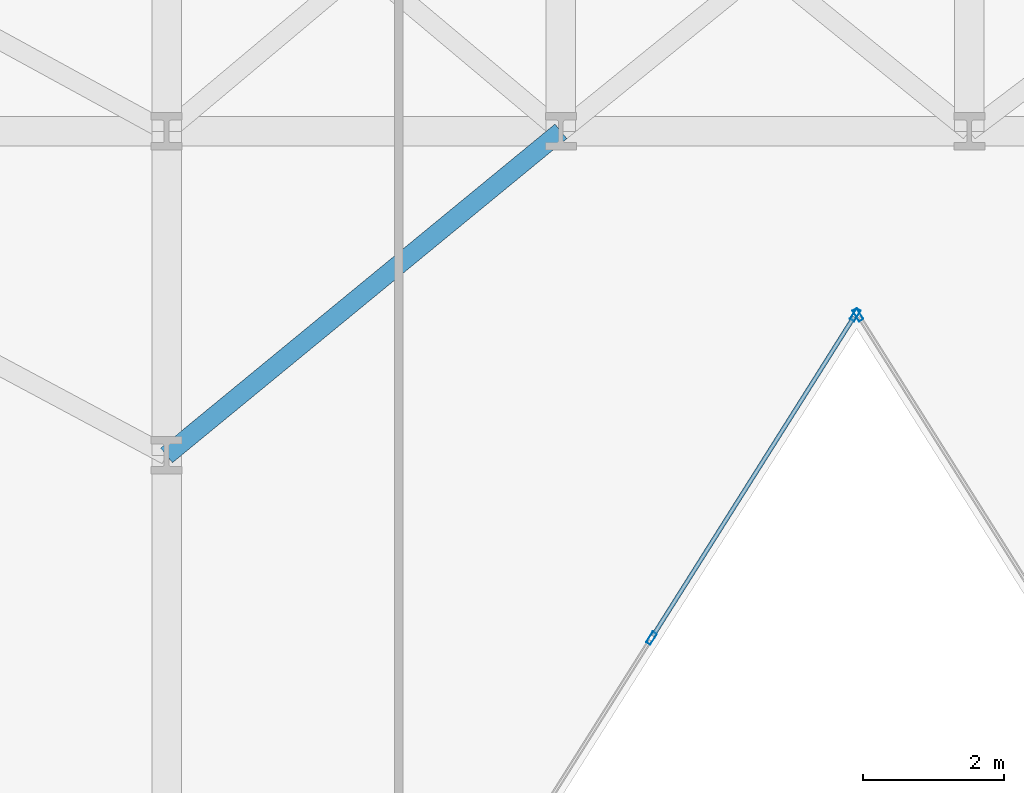
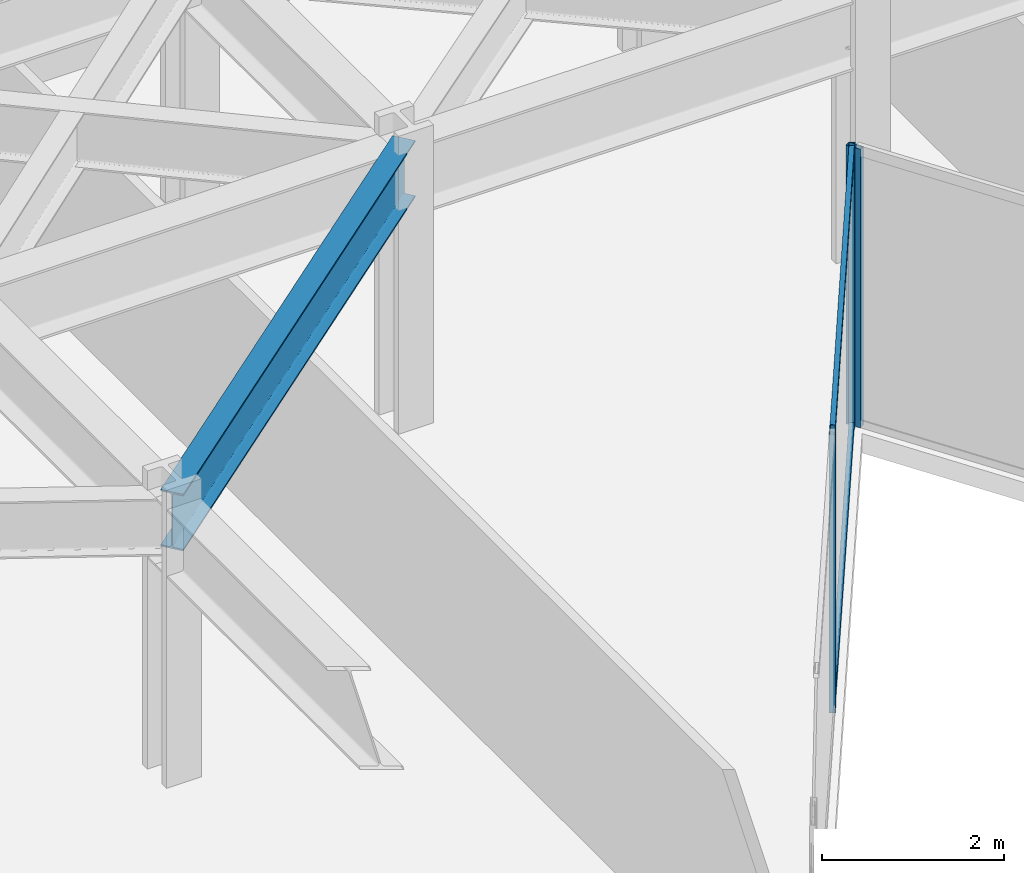
# One storey, part 10 of 25: 5 members, 1 beam, 2 elements without a shape of their own.
"""IFC4 building model written with IfcOpenShell, lengths in metres."""

from ifc_helpers import new_model, si_unit, direction, frame, origin, origin_2d, place, context, subcontext, project, spatial, hollow_rectangle, i_section, extrude, material, layer, layer_set, material_profile, profile_set, type_object, element, aggregate, save


model = new_model("IFC4")

# Units and contexts
model_context = context("Model", 3, precision=1e-05, world=origin(), true_north=direction((0.0, 1.0)))
body_context = subcontext(model_context, "Body", "Model", "MODEL_VIEW")
ifc_project = project(units=[si_unit("LENGTHUNIT", "METRE"), si_unit("AREAUNIT", "SQUARE_METRE"), si_unit("VOLUMEUNIT", "CUBIC_METRE"), si_unit("PLANEANGLEUNIT", "RADIAN"), si_unit("MASSUNIT", "GRAM", prefix="KILO")], contexts=[model_context])

# Site, building, storey
site_placement = place(None, origin())
site = spatial("IfcSite", under=ifc_project, at=site_placement, CompositionType="ELEMENT")
building_placement = place(site_placement, origin())
building = spatial("IfcBuilding", under=site, at=building_placement, Name="Kravanh Interchange Tower", CompositionType="ELEMENT")
storey_placement = place(building_placement, frame((0.0, 0.0, 57.5)))
storey = spatial("IfcBuildingStorey", under=building, at=storey_placement, Name="L13", CompositionType="ELEMENT", Elevation=57.5)

# Curtain wall, member
ifc_material_1 = material(Name="Anodised Bronze Aluminium", Category="aluminium")
ifc_layer = layer(ifc_material_1, 0.179931640625)
ifc_layer_set = layer_set([ifc_layer], Name="Unitised Curtain Wall System CW-Z1 Lower Office")
curtain_wall_type = type_object("IfcCurtainWallType", Name="Unitised Curtain Wall System CW-Z1 Lower Office", PredefinedType="NOTDEFINED", material=ifc_layer_set)
curtain_wall_1_placement = place(storey_placement, origin())
curtain_wall_1 = element("IfcCurtainWall", 1, at=curtain_wall_1_placement, inside=storey, type_object=curtain_wall_type, Name="L13 Unitised Curtain Wall CW-L13-04", PredefinedType="NOTDEFINED")
ifc_material_2 = material(Name="Anodised Bronze Aluminium", Category="aluminium")
ifc_material_profile_1 = material_profile(ifc_material_2, hollow_rectangle(XDim=0.070068359375, YDim=0.179931640625, WallThickness=0.00390625, at=origin_2d()), Name="ALU70X180X4")
ifc_profile_set_1 = profile_set([ifc_material_profile_1], Name="Anodised Bronze Aluminium")
member_type_1 = type_object("IfcMemberType", Name="Curtain Wall Mullion ALU70X180X4 Bronze", PredefinedType="MULLION", material=ifc_profile_set_1)
member_1_placement = place(storey_placement, frame((37.0185546875, 24.1953125, 0.0), z_axis=(0.0, 0.0, 1.0), x_axis=(-0.845925530786, -0.53330103728, 0.0)))
member_1 = element("IfcMember", 2, at=member_1_placement, type_object=member_type_1, Name="CW-Z1 mullion 6", PredefinedType="MULLION", context=body_context, shape_type="SweptSolid", body=[
    extrude(hollow_rectangle(XDim=0.070068359375, YDim=0.179931640625, WallThickness=0.00390625, at=origin_2d()), origin(), (0.0, 0.0, 1.0), 3.739990234375),
])
aggregate(curtain_wall_1, [member_1])

# Curtain wall, members
curtain_wall_2_placement = place(storey_placement, origin())
curtain_wall_2 = element("IfcCurtainWall", 3, at=curtain_wall_2_placement, inside=storey, type_object=curtain_wall_type, Name="L13 Unitised Curtain Wall CW-L13-05", PredefinedType="NOTDEFINED")
member_2_placement = place(storey_placement, frame((36.9814453125, 24.1953125, 0.0), z_axis=(0.0, 0.0, 1.0), x_axis=(0.845925530786, -0.53330103728, 0.0)))
member_2 = element("IfcMember", 4, at=member_2_placement, type_object=member_type_1, Name="CW-Z1 mullion 1", PredefinedType="MULLION", context=body_context, shape_type="SweptSolid", body=[
    extrude(hollow_rectangle(XDim=0.070068359375, YDim=0.179931640625, WallThickness=0.00390625, at=origin_2d()), origin(), (0.0, 0.0, 1.0), 3.739990234375),
])
member_3_placement = place(storey_placement, frame((34.086669921875, 19.60400390625, 0.0), z_axis=(0.0, 0.0, 1.0), x_axis=(0.845925530786, -0.53330103728, 0.0)))
member_3 = element("IfcMember", 5, at=member_3_placement, type_object=member_type_1, Name="CW-Z1 mullion 2", PredefinedType="MULLION", context=body_context, shape_type="SweptSolid", body=[
    extrude(hollow_rectangle(XDim=0.070068359375, YDim=0.179931640625, WallThickness=0.00390625, at=origin_2d()), origin(), (0.0, 0.0, 1.0), 3.739990234375),
])
ifc_material_3 = material(Name="Anodised Bronze Aluminium", Category="aluminium")
ifc_material_profile_2 = material_profile(ifc_material_3, hollow_rectangle(XDim=0.06005859375, YDim=0.139892578125, WallThickness=0.00390625, at=origin_2d()), Name="ALU60X140X4")
ifc_profile_set_2 = profile_set([ifc_material_profile_2], Name="Anodised Bronze Aluminium")
member_type_2 = type_object("IfcMemberType", Name="Curtain Wall Transom ALU60X140X4 Bronze", PredefinedType="USERDEFINED", material=ifc_profile_set_2)
member_4_placement = place(storey_placement, frame((36.962646484375, 24.165771484375, 0.030029296875), z_axis=(-0.533288163518, -0.845933646719, 0.0), x_axis=(0.845933646719, -0.533288163518, 0.0)))
member_4 = element("IfcMember", 6, at=member_4_placement, type_object=member_type_2, Name="CW-Z1 transom 1.1", ObjectType="TRANSOM", PredefinedType="USERDEFINED", context=body_context, shape_type="SweptSolid", body=[
    extrude(hollow_rectangle(XDim=0.06005859375, YDim=0.139892578125, WallThickness=0.00390625, at=origin_2d()), origin(), (0.0, 0.0, 1.0), 5.357666015625),
])
member_5_placement = place(storey_placement, frame((36.962646484375, 24.165771484375, 3.7099609375), z_axis=(-0.533288163518, -0.845933646719, 0.0), x_axis=(0.845933646719, -0.533288163518, 0.0)))
member_5 = element("IfcMember", 7, at=member_5_placement, type_object=member_type_2, Name="CW-Z1 transom 1.2", ObjectType="TRANSOM", PredefinedType="USERDEFINED", context=body_context, shape_type="SweptSolid", body=[
    extrude(hollow_rectangle(XDim=0.06005859375, YDim=0.139892578125, WallThickness=0.00390625, at=origin_2d()), origin(), (0.0, 0.0, 1.0), 5.357666015625),
])
aggregate(curtain_wall_2, [member_2, member_3, member_4, member_5])

# Beam
ifc_material_4 = material(Name="Structural Steel S355", Category="steel")
ifc_material_profile_3 = material_profile(ifc_material_4, i_section(OverallWidth=0.26708984375, OverallDepth=0.761962890625, WebThickness=0.014404296875, FlangeThickness=0.021484375, FilletRadius=0.02490234375, at=origin_2d()), Name="W30X116")
ifc_profile_set_3 = profile_set([ifc_material_profile_3], Name="Structural Steel S355")
beam_type = type_object("IfcBeamType", Name="Floor Spandrel W30X116 Structural Steel S355", PredefinedType="SPANDREL", material=ifc_profile_set_3)
beam_placement = place(storey_placement, frame((27.199951171875, 22.199951171875, 3.35888671875), z_axis=(0.772725074305, 0.634740860147, 0.0), x_axis=(-0.634740860147, 0.772725074305, 0.0)))
element("IfcBeam", 8, at=beam_placement, inside=storey, type_object=beam_type, Name="L13 Perimeter Spandrel 55", PredefinedType="SPANDREL", context=body_context, shape_type="SweptSolid", body=[
    extrude(i_section(OverallWidth=0.26708984375, OverallDepth=0.761962890625, WebThickness=0.014404296875, FlangeThickness=0.021484375, FilletRadius=0.02490234375, at=origin_2d()), origin(), (0.0, 0.0, 1.0), 7.247314453125),
])

save(model, "model.ifc")
